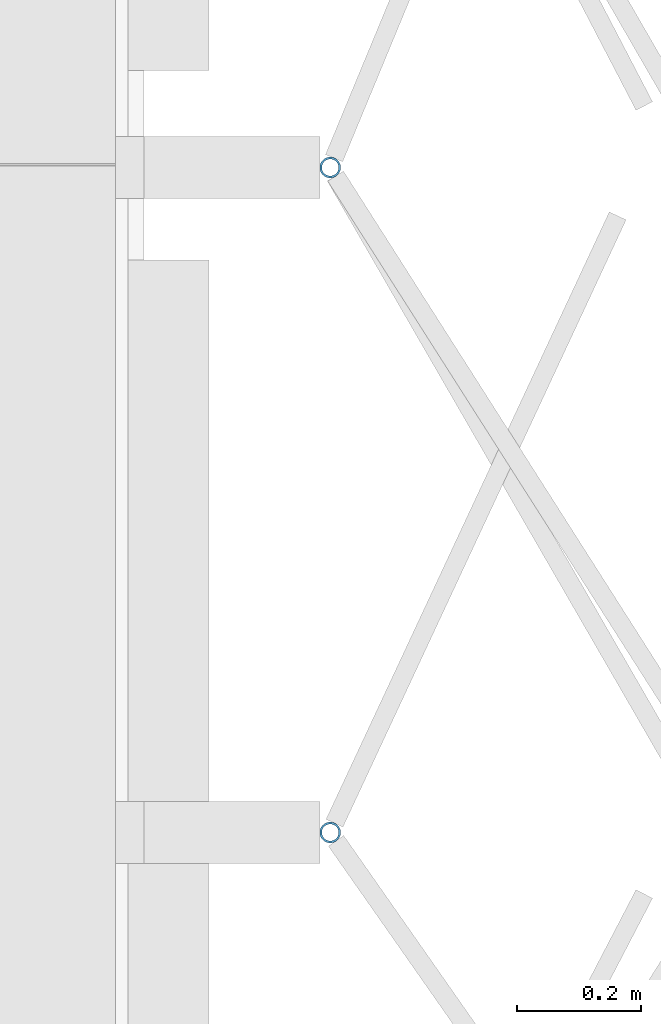
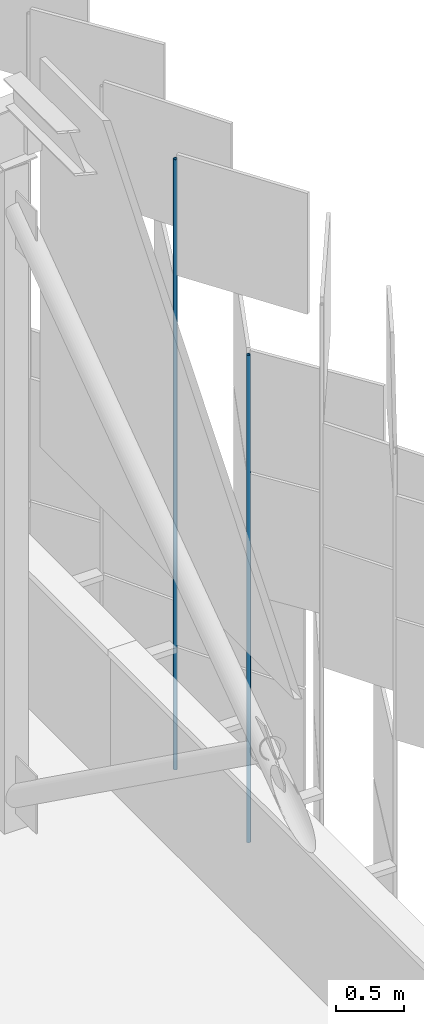
# One storey, part 186 of 483: 2 discrete accessories.
"""IFC4 building model written with IfcOpenShell, lengths in metres."""

from ifc_helpers import new_model, si_unit, direction, frame, origin, origin_2d, place, context, subcontext, project, spatial, hollow_circle, extrude, material, material_profile, profile_set, type_object, element, save


model = new_model("IFC4")

# Units and contexts
model_context = context("Model", 3, precision=1e-05, world=origin(), true_north=direction((0.0, 1.0)))
body_context = subcontext(model_context, "Body", "Model", "MODEL_VIEW")
ifc_project = project(units=[si_unit("LENGTHUNIT", "METRE"), si_unit("AREAUNIT", "SQUARE_METRE"), si_unit("VOLUMEUNIT", "CUBIC_METRE"), si_unit("PLANEANGLEUNIT", "RADIAN"), si_unit("MASSUNIT", "GRAM", prefix="KILO")], contexts=[model_context])

# Site, building, storey
site_placement = place(None, origin())
site = spatial("IfcSite", under=ifc_project, at=site_placement, CompositionType="ELEMENT")
building_placement = place(site_placement, origin())
building = spatial("IfcBuilding", under=site, at=building_placement, Name="Parallax Yard Mobility Hub", CompositionType="ELEMENT")
storey_placement = place(building_placement, frame((0.0, 0.0, 13.199951171875)))
storey = spatial("IfcBuildingStorey", under=building, at=storey_placement, Name="L04", CompositionType="ELEMENT", Elevation=13.199951171875)

# Discrete accessories
ifc_material = material(Name="Steel ASTM A500 Gr C, hot-dip galvanised", Category="steel")
ifc_material_profile = material_profile(ifc_material, hollow_circle(Radius=0.016845703125, WallThickness=0.003173828125, at=origin_2d()), Name="CHS 33.7x3.2")
ifc_profile_set = profile_set([ifc_material_profile], Name="Steel ASTM A500 Gr C, hot-dip galvanised")
discrete_accessory_type = type_object("IfcDiscreteAccessoryType", Name="Hinge post CHS 33.7x3.2", PredefinedType="BRACKET", material=ifc_profile_set)
discrete_accessory_1_placement = place(storey_placement, frame((225.300048828125, 66.42431640625, 0.0), z_axis=(0.0, 0.0, 1.0), x_axis=(1.0, 0.0, 0.0)))
element("IfcDiscreteAccessory", 1, at=discrete_accessory_1_placement, inside=storey, type_object=discrete_accessory_type, Name="Hinge post bay 37.7 level L04", PredefinedType="BRACKET", context=body_context, shape_type="SweptSolid", body=[
    extrude(hollow_circle(Radius=0.016845703125, WallThickness=0.003173828125, at=origin_2d()), origin(), (0.0, 0.0, 1.0), 4.35009765625),
])
discrete_accessory_2_placement = place(storey_placement, frame((225.300048828125, 67.49609375, 0.0), z_axis=(0.0, 0.0, 1.0), x_axis=(1.0, 0.0, 0.0)))
element("IfcDiscreteAccessory", 2, at=discrete_accessory_2_placement, inside=storey, type_object=discrete_accessory_type, Name="Hinge post bay 38.1 level L04", PredefinedType="BRACKET", context=body_context, shape_type="SweptSolid", body=[
    extrude(hollow_circle(Radius=0.016845703125, WallThickness=0.003173828125, at=origin_2d()), origin(), (0.0, 0.0, 1.0), 5.449951171875),
])

save(model, "model.ifc")
